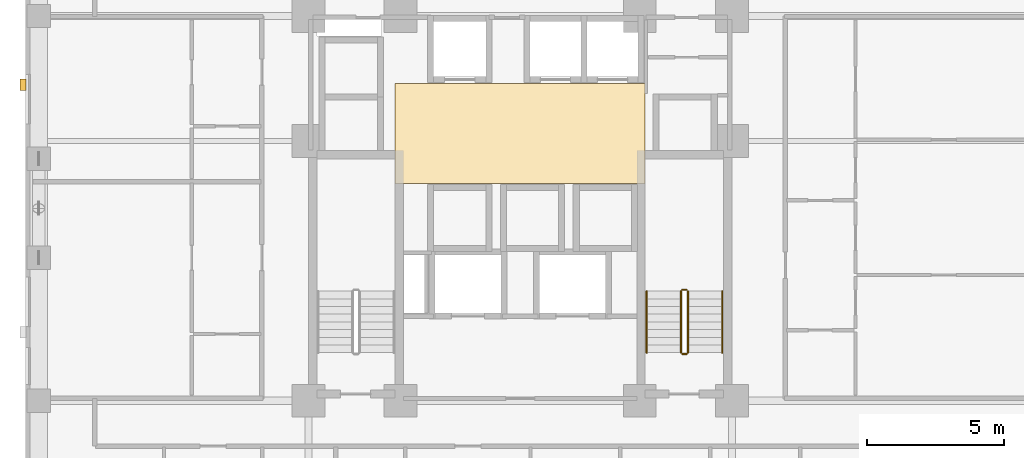
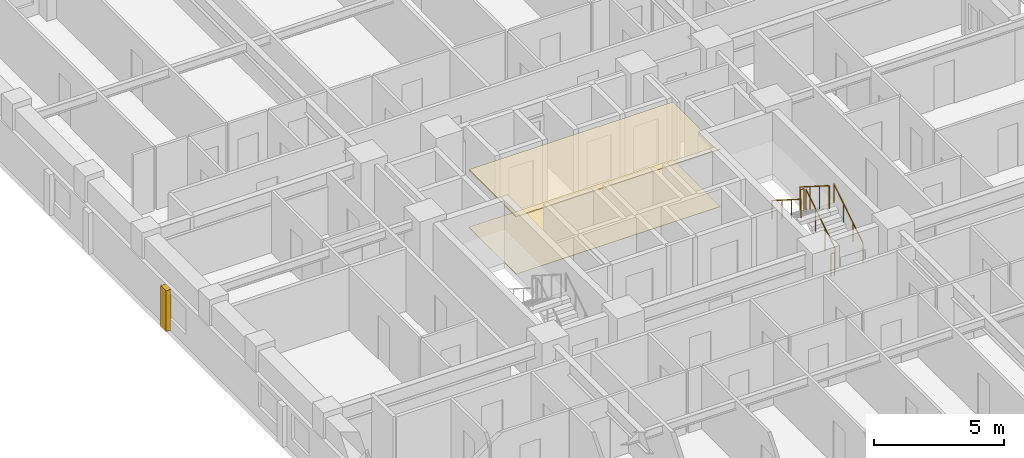
# One storey, part 13 of 14: 6 railings, 3 coverings.
"""IFC4 building model written with IfcOpenShell, lengths in metres."""

from ifc_helpers import new_model, si_unit, derived_unit, direction, frame, origin, origin_2d, place, context, subcontext, project, spatial, polyline, rectangle, circle, outline, extrude, material, layer, layer_set, type_object, element, save


model = new_model("IFC4")

# Units and contexts
model_context = context("Model", 3, precision=1e-05, world=origin(), true_north=direction((0.0, 1.0)))
body_context = subcontext(model_context, "Body", "Model", "MODEL_VIEW")
ifc_project = project(units=[si_unit("LENGTHUNIT", "METRE"), si_unit("AREAUNIT", "SQUARE_METRE"), si_unit("VOLUMEUNIT", "CUBIC_METRE"), si_unit("PLANEANGLEUNIT", "RADIAN"), si_unit("MASSUNIT", "GRAM", prefix="KILO"), derived_unit("THERMALTRANSMITTANCEUNIT", [(si_unit("MASSUNIT", "GRAM", prefix="KILO"), 1), (si_unit("TIMEUNIT", "SECOND"), -3), (si_unit("THERMODYNAMICTEMPERATUREUNIT", "KELVIN"), -1)])], contexts=[model_context])

# Site, building, storey
site_placement = place(None, origin())
site = spatial("IfcSite", under=ifc_project, at=site_placement, CompositionType="ELEMENT")
building_placement = place(site_placement, origin())
building = spatial("IfcBuilding", under=site, at=building_placement, Name="Korrvale Station Residences", CompositionType="ELEMENT")
storey_placement = place(building_placement, frame((0.0, 0.0, 61.0)))
storey = spatial("IfcBuildingStorey", under=building, at=storey_placement, Name="L16", CompositionType="ELEMENT", Elevation=61.0)

# Coverings
ifc_material_1 = material(Name="Perforated acoustic mineral-fibre suspended ceiling", Category="gypsum")
ifc_layer_1 = layer(ifc_material_1, 0.050048828125, Name="Perforated acoustic mineral-fibre suspended ceiling")
ifc_layer_set_1 = layer_set([ifc_layer_1], Name="Perforated acoustic mineral-fibre suspended ceiling")
covering_type_1 = type_object("IfcCoveringType", Name="COV-CLG-AC60", PredefinedType="CEILING", material=ifc_layer_set_1)
covering_1_placement = place(storey_placement, frame((0.0, 0.0, 2.68994140625)))
element("IfcCovering", 1, at=covering_1_placement, inside=storey, type_object=covering_type_1, Name="L16 Elevator Lobby Acoustic Ceiling", PredefinedType="CEILING", context=body_context, shape_type="SweptSolid", body=[
    extrude(outline(polyline([(20.949951171875, 22.89990234375), (30.050048828125, 22.89990234375), (30.050048828125, 26.550048828125), (20.949951171875, 26.550048828125), (20.949951171875, 22.89990234375)])), origin(), (0.0, 0.0, 1.0), 0.050048828125),
])
ifc_material_2 = material(Name="Polished quartz-terrazzo lobby flooring", Category="masonry")
ifc_layer_2 = layer(ifc_material_2, 0.02001953125, Name="Polished quartz-terrazzo lobby flooring")
ifc_layer_set_2 = layer_set([ifc_layer_2], Name="Polished quartz-terrazzo lobby flooring")
covering_type_2 = type_object("IfcCoveringType", Name="COV-FLR-TER20", PredefinedType="FLOORING", material=ifc_layer_set_2)
covering_2_placement = place(storey_placement, origin())
element("IfcCovering", 2, at=covering_2_placement, inside=storey, type_object=covering_type_2, Name="L16 Elevator Lobby Terrazzo Flooring", PredefinedType="FLOORING", context=body_context, shape_type="SweptSolid", body=[
    extrude(outline(polyline([(20.949951171875, 22.89990234375), (30.050048828125, 22.89990234375), (30.050048828125, 26.550048828125), (20.949951171875, 26.550048828125), (20.949951171875, 22.89990234375)])), origin(), (0.0, 0.0, 1.0), 0.02001953125),
])
ifc_material_3 = material(Name="Architectural precast concrete C45/55", Category="concrete")
ifc_layer_3 = layer(ifc_material_3, 0.219970703125, Name="Architectural precast concrete C45/55")
ifc_layer_set_3 = layer_set([ifc_layer_3], Name="Architectural precast concrete C45/55")
covering_type_3 = type_object("IfcCoveringType", Name="COV-PIER-400", PredefinedType="CLADDING", material=ifc_layer_set_3)
covering_3_placement = place(storey_placement, frame((7.409912109375, 26.5, 0.02490234375), z_axis=(0.0, 0.0, 1.0), x_axis=(0.0, 1.0, 0.0)))
element("IfcCovering", 3, at=covering_3_placement, inside=storey, type_object=covering_type_3, Name="L16 Architectural Precast Facade Pier 14", PredefinedType="CLADDING", context=body_context, shape_type="SweptSolid", body=[
    extrude(rectangle(XDim=0.419921875, YDim=0.219970703125, at=origin_2d()), origin(), (0.0, 0.0, 1.0), 1.925048828125),
])

# Railings
ifc_material_4 = material(Name="Brushed stainless-steel continuous stair handrail", Category="steel")
railing_type_1 = type_object("IfcRailingType", Name="RLG-SHND-900", PredefinedType="HANDRAIL", material=ifc_material_4)
railing_1_placement = place(storey_placement, frame((32.85009765625, 16.75, 0.177734375)))
element("IfcRailing", 4, at=railing_1_placement, inside=storey, type_object=railing_type_1, Name="L16 ST-2 stair handrail 1", PredefinedType="HANDRAIL", context=body_context, shape_type="SweptSolid", body=[
    extrude(circle(Radius=0.02392578125, at=origin_2d()), frame((0.0, 0.0, 0.8759765625), z_axis=(0.0, 0.84418770128, 0.536047689118), x_axis=(-1.0, 0.0, 0.0)), (0.0, 0.0, 1.0), 2.6533203125),
    extrude(circle(Radius=0.02099609375, at=origin_2d()), origin(), (0.0, 0.0, 1.0), 0.851806640625),
    extrude(circle(Radius=0.02099609375, at=origin_2d()), frame((0.0, 0.74658203125, 0.47412109375)), (0.0, 0.0, 1.0), 0.851806640625),
    extrude(circle(Radius=0.02099609375, at=origin_2d()), frame((0.0, 1.493408203125, 0.9482421875)), (0.0, 0.0, 1.0), 0.851806640625),
    extrude(circle(Radius=0.02099609375, at=origin_2d()), frame((0.0, 2.239990234375, 1.42236328125)), (0.0, 0.0, 1.0), 0.851806640625),
])
railing_2_placement = place(storey_placement, frame((30.10009765625, 18.989990234375, 1.77783203125)))
element("IfcRailing", 5, at=railing_2_placement, inside=storey, type_object=railing_type_1, Name="L16 ST-2 stair handrail 2", PredefinedType="HANDRAIL", context=body_context, shape_type="SweptSolid", body=[
    extrude(circle(Radius=0.02392578125, at=origin_2d()), frame((0.0, 0.0, 0.8759765625), z_axis=(0.0, -0.8442293374, 0.53598211339), x_axis=(1.0, 0.0, 0.0)), (0.0, 0.0, 1.0), 2.6533203125),
    extrude(circle(Radius=0.02099609375, at=origin_2d()), origin(), (0.0, 0.0, 1.0), 0.851806640625),
    extrude(circle(Radius=0.02099609375, at=origin_2d()), frame((0.0, -0.74658203125, 0.47412109375)), (0.0, 0.0, 1.0), 0.851806640625),
    extrude(circle(Radius=0.02099609375, at=origin_2d()), frame((0.0, -1.493408203125, 0.947998046875)), (0.0, 0.0, 1.0), 0.851806640625),
    extrude(circle(Radius=0.02099609375, at=origin_2d()), frame((0.0, -2.239990234375, 1.422119140625)), (0.0, 0.0, 1.0), 0.851806640625),
])
ifc_material_5 = material(Name="Galvanised painted tubular steel stair guard", Category="steel")
railing_type_2 = type_object("IfcRailingType", Name="RLG-STR-1100", PredefinedType="GUARDRAIL", material=ifc_material_5)
railing_3_placement = place(storey_placement, frame((31.60009765625, 16.75, 0.177734375)))
element("IfcRailing", 6, at=railing_3_placement, inside=storey, type_object=railing_type_2, Name="L16 ST-2 stair guard 1", PredefinedType="GUARDRAIL", context=body_context, shape_type="SweptSolid", body=[
    extrude(circle(Radius=0.02392578125, at=origin_2d()), frame((0.0, 0.0, 1.076171875), z_axis=(0.0, 0.84418770128, 0.536047689118), x_axis=(-1.0, 0.0, 0.0)), (0.0, 0.0, 1.0), 2.6533203125),
    extrude(circle(Radius=0.02099609375, at=origin_2d()), origin(), (0.0, 0.0, 1.0), 1.052001953125),
    extrude(circle(Radius=0.02099609375, at=origin_2d()), frame((0.0, 0.74658203125, 0.47412109375)), (0.0, 0.0, 1.0), 1.052001953125),
    extrude(circle(Radius=0.02099609375, at=origin_2d()), frame((0.0, 1.493408203125, 0.9482421875)), (0.0, 0.0, 1.0), 1.052001953125),
    extrude(circle(Radius=0.02099609375, at=origin_2d()), frame((0.0, 2.239990234375, 1.42236328125)), (0.0, 0.0, 1.0), 1.052001953125),
])
railing_4_placement = place(storey_placement, frame((31.550048828125, 19.0400390625, 1.60009765625)))
element("IfcRailing", 7, at=railing_4_placement, inside=storey, type_object=railing_type_2, Name="L16 ST-2 stair guard 2", PredefinedType="GUARDRAIL", context=body_context, shape_type="SweptSolid", body=[
    extrude(circle(Radius=0.02392578125, at=origin_2d()), frame((0.0, 0.0, 1.076171875), z_axis=(-1.0, 0.0, 0.0), x_axis=(0.0, -1.0, 0.0)), (0.0, 0.0, 1.0), 0.150146484375),
    extrude(circle(Radius=0.02099609375, at=origin_2d()), origin(), (0.0, 0.0, 1.0), 1.052001953125),
    extrude(circle(Radius=0.02099609375, at=origin_2d()), frame((-0.150146484375, 0.0, 0.0)), (0.0, 0.0, 1.0), 1.052001953125),
])
railing_5_placement = place(storey_placement, frame((31.35009765625, 18.989990234375, 1.77783203125)))
element("IfcRailing", 8, at=railing_5_placement, inside=storey, type_object=railing_type_2, Name="L16 ST-2 stair guard 3", PredefinedType="GUARDRAIL", context=body_context, shape_type="SweptSolid", body=[
    extrude(circle(Radius=0.02392578125, at=origin_2d()), frame((0.0, 0.0, 1.076171875), z_axis=(0.0, -0.8442293374, 0.53598211339), x_axis=(1.0, 0.0, 0.0)), (0.0, 0.0, 1.0), 2.6533203125),
    extrude(circle(Radius=0.02099609375, at=origin_2d()), origin(), (0.0, 0.0, 1.0), 1.052001953125),
    extrude(circle(Radius=0.02099609375, at=origin_2d()), frame((0.0, -0.74658203125, 0.47412109375)), (0.0, 0.0, 1.0), 1.052001953125),
    extrude(circle(Radius=0.02099609375, at=origin_2d()), frame((0.0, -1.493408203125, 0.947998046875)), (0.0, 0.0, 1.0), 1.052001953125),
    extrude(circle(Radius=0.02099609375, at=origin_2d()), frame((0.0, -2.239990234375, 1.422119140625)), (0.0, 0.0, 1.0), 1.052001953125),
])
railing_6_placement = place(storey_placement, frame((31.550048828125, 16.699951171875, 0.0)))
element("IfcRailing", 9, at=railing_6_placement, inside=storey, type_object=railing_type_2, Name="L16 ST-2 stair guard 4", PredefinedType="GUARDRAIL", context=body_context, shape_type="SweptSolid", body=[
    extrude(circle(Radius=0.02392578125, at=origin_2d()), frame((0.0, 0.0, 1.076171875), z_axis=(-1.0, 0.0, 0.0), x_axis=(0.0, -1.0, 0.0)), (0.0, 0.0, 1.0), 0.150146484375),
    extrude(circle(Radius=0.02099609375, at=origin_2d()), origin(), (0.0, 0.0, 1.0), 1.052001953125),
    extrude(circle(Radius=0.02099609375, at=origin_2d()), frame((-0.150146484375, 0.0, 0.0)), (0.0, 0.0, 1.0), 1.052001953125),
])

save(model, "model.ifc")
